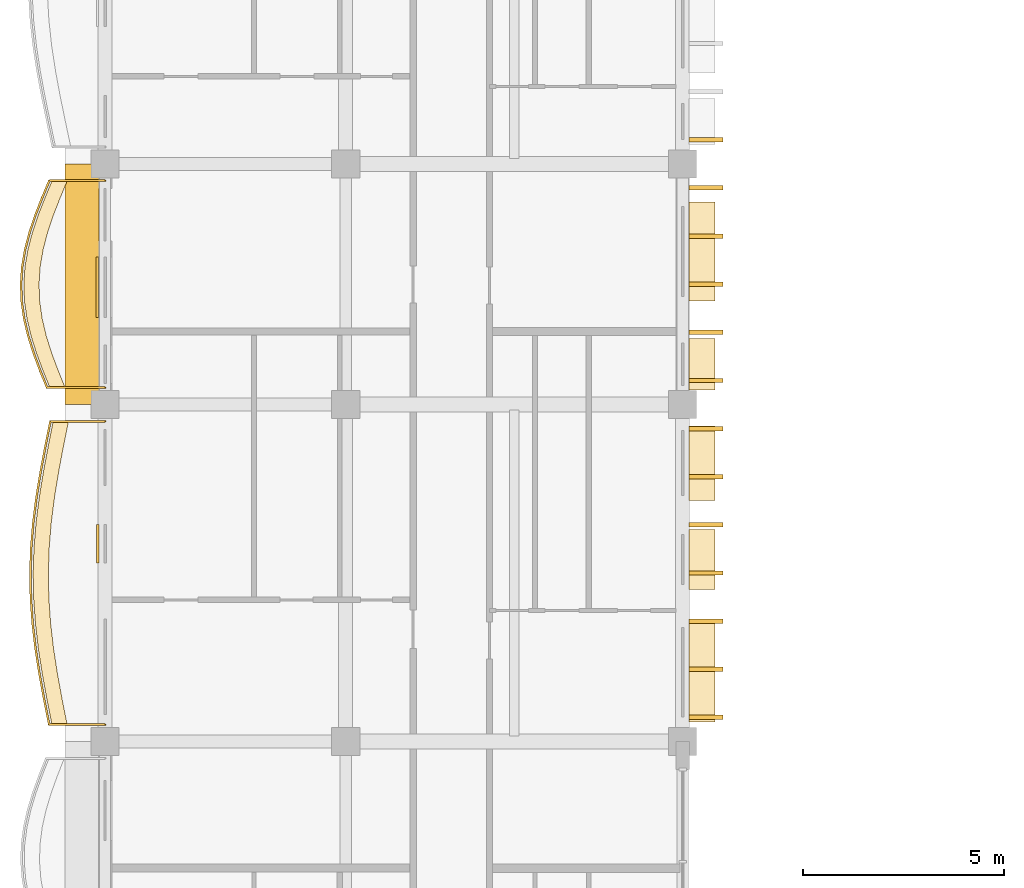
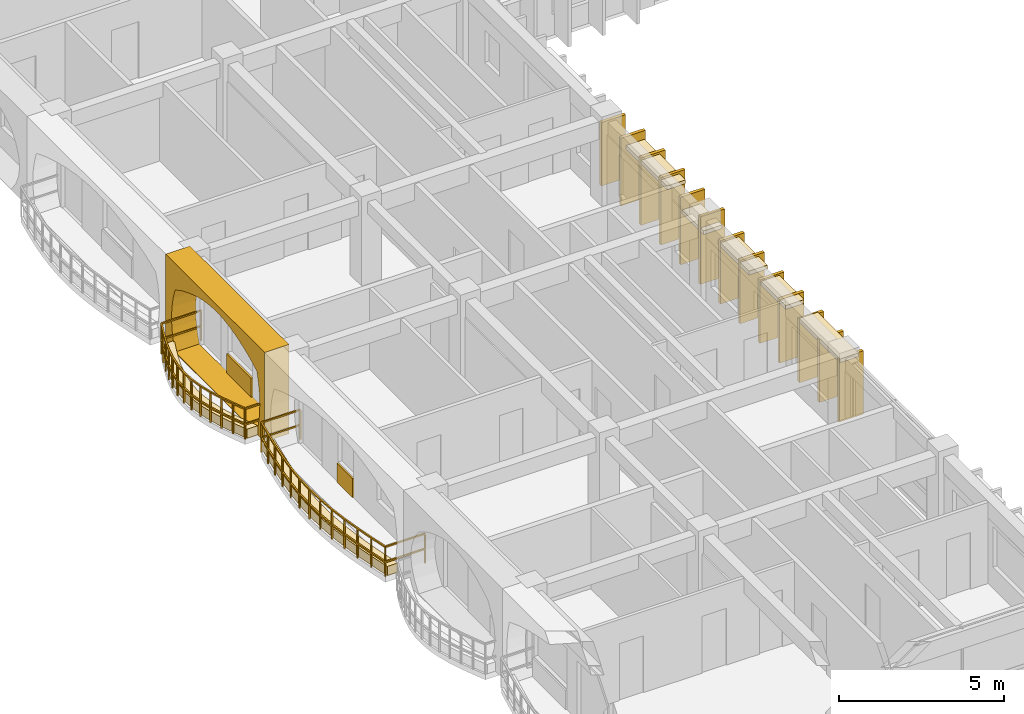
# One storey, part 56 of 76: 23 coverings, 2 railings.
"""IFC4 building model written with IfcOpenShell, lengths in metres."""

from ifc_helpers import new_model, si_unit, direction, frame, origin, origin_2d, place, context, subcontext, project, spatial, polyline, rectangle, outline, extrude, material, layer, layer_set, type_object, element, save


model = new_model("IFC4")

# Units and contexts
model_context = context("Model", 3, precision=1e-05, world=origin(), true_north=direction((0.0, 1.0)))
body_context = subcontext(model_context, "Body", "Model", "MODEL_VIEW")
ifc_project = project(units=[si_unit("LENGTHUNIT", "METRE"), si_unit("AREAUNIT", "SQUARE_METRE"), si_unit("VOLUMEUNIT", "CUBIC_METRE"), si_unit("PLANEANGLEUNIT", "RADIAN"), si_unit("MASSUNIT", "GRAM", prefix="KILO"), si_unit("THERMODYNAMICTEMPERATUREUNIT", "KELVIN")], contexts=[model_context])

# Site, building, storey
site_placement = place(None, origin())
site = spatial("IfcSite", under=ifc_project, at=site_placement, CompositionType="ELEMENT")
building_placement = place(site_placement, origin())
building = spatial("IfcBuilding", under=site, at=building_placement, Name="Thalorik Housing Commons", CompositionType="ELEMENT")
storey_placement = place(building_placement, frame((0.0, 0.0, 18.0)))
storey = spatial("IfcBuildingStorey", under=building, at=storey_placement, Name="L05", CompositionType="ELEMENT", Elevation=18.0)

# Coverings
ifc_material_1 = material(Name="Precast concrete C40/50", Category="concrete")
ifc_layer_1 = layer(ifc_material_1, 0.85009765625, Name="Precast concrete C40/50", Category="concrete")
ifc_layer_set_1 = layer_set([ifc_layer_1], Name="Precast concrete C40/50")
covering_type_1 = type_object("IfcCoveringType", Name="ARC-CLD-CUSH-850", PredefinedType="CLADDING", material=ifc_layer_set_1)
covering_1_placement = place(storey_placement, frame((7.822509765625, 97.800048828125, 0.0), z_axis=(0.0, 0.0, 1.0), x_axis=(0.0, -1.0, 0.0)))
element("IfcCovering", 1, at=covering_1_placement, inside=storey, type_object=covering_type_1, Name="L05 White Precast Curved Cushion Bay Frame 567", PredefinedType="CLADDING", context=body_context, shape_type="SweptSolid", body=[
    extrude(outline(polyline([(-3.0, 0.0), (3.0, 0.0), (3.0, 3.300048828125), (-3.0, 3.300048828125), (-3.0, 0.0)]), holes=[polyline([(2.52001953125, 0.02490234375), (2.621337890625, 0.407470703125), (2.68212890625, 0.7900390625), (2.702392578125, 1.172607421875), (2.68212890625, 1.554931640625), (2.621337890625, 1.9375), (2.52001953125, 2.320068359375), (2.107421875, 2.539306640625), (1.695068359375, 2.711181640625), (1.282470703125, 2.8505859375), (0.8701171875, 2.954345703125), (0.45751953125, 3.018310546875), (0.044921875, 3.0400390625), (-0.367431640625, 3.018310546875), (-0.780029296875, 2.954345703125), (-1.1923828125, 2.8505859375), (-1.60498046875, 2.711181640625), (-2.017578125, 2.539306640625), (-2.429931640625, 2.320068359375), (-2.55029296875, 1.9375), (-2.62255859375, 1.554931640625), (-2.646484375, 1.172607421875), (-2.62255859375, 0.7900390625), (-2.55029296875, 0.407470703125), (-2.429931640625, 0.02490234375), (2.52001953125, 0.02490234375)])]), frame((0.0, 0.425048828125, 0.0), z_axis=(0.0, -1.0, 0.0), x_axis=(1.0, 0.0, 0.0)), (0.0, 0.0, 1.0), 0.85009765625),
])
ifc_layer_2 = layer(ifc_material_1, 0.85009765625, Name="Precast concrete C40/50", Category="concrete")
ifc_layer_set_2 = layer_set([ifc_layer_2], Name="Precast concrete C40/50")
covering_type_2 = type_object("IfcCoveringType", Name="ARC-CLD-FIN-850", PredefinedType="CLADDING", material=ifc_layer_set_2)
for number, where, z_axis, x_axis, name in (
    (2, (23.37744140625, 87.0, 0.0400390625), (0.0, 0.0, 1.0), (0.0, 1.0, 0.0), "L05 Courtyard Precast Vertical Brise-Soleil Fin 592"),
    (3, (23.37744140625, 88.199951171875, 0.0400390625), (0.0, 0.0, 1.0), (0.0, 1.0, 0.0), "L05 Courtyard Precast Vertical Brise-Soleil Fin 593"),
    (4, (23.37744140625, 89.39990234375, 0.0400390625), (0.0, 0.0, 1.0), (0.0, 1.0, 0.0), "L05 Courtyard Precast Vertical Brise-Soleil Fin 594"),
    (5, (23.37744140625, 90.60009765625, 0.0400390625), (0.0, 0.0, 1.0), (0.0, 1.0, 0.0), "L05 Courtyard Precast Vertical Brise-Soleil Fin 595"),
    (6, (23.37744140625, 91.800048828125, 0.0400390625), (0.0, 0.0, 1.0), (0.0, 1.0, 0.0), "L05 Courtyard Precast Vertical Brise-Soleil Fin 596"),
    (7, (23.37744140625, 93.0, 0.0400390625), (0.0, 0.0, 1.0), (0.0, 1.0, 0.0), "L05 Courtyard Precast Vertical Brise-Soleil Fin 597"),
    (8, (23.37744140625, 94.199951171875, 0.0400390625), (0.0, 0.0, 1.0), (0.0, 1.0, 0.0), "L05 Courtyard Precast Vertical Brise-Soleil Fin 598"),
):
    element("IfcCovering", number, at=place(storey_placement, frame(where, z_axis=z_axis, x_axis=x_axis)), inside=storey, type_object=covering_type_2, Name=name, PredefinedType="CLADDING", context=body_context, shape_type="SweptSolid", body=[
        extrude(rectangle(XDim=0.110107421875, YDim=0.85009765625, at=origin_2d()), origin(), (0.0, 0.0, 1.0), 2.344970703125),
    ])
for number, where, z_axis, x_axis, name in (
    (9, (23.37744140625, 95.39990234375, 0.0400390625), (0.0, 0.0, 1.0), (0.0, 1.0, 0.0), "L05 Courtyard Precast Vertical Brise-Soleil Fin 602"),
    (10, (23.37744140625, 96.60009765625, 0.0400390625), (0.0, 0.0, 1.0), (0.0, 1.0, 0.0), "L05 Courtyard Precast Vertical Brise-Soleil Fin 603"),
    (11, (23.37744140625, 97.800048828125, 0.0400390625), (0.0, 0.0, 1.0), (0.0, 1.0, 0.0), "L05 Courtyard Precast Vertical Brise-Soleil Fin 604"),
    (12, (23.37744140625, 99.0, 0.0400390625), (0.0, 0.0, 1.0), (0.0, 1.0, 0.0), "L05 Courtyard Precast Vertical Brise-Soleil Fin 605"),
    (13, (23.37744140625, 100.199951171875, 0.0400390625), (0.0, 0.0, 1.0), (0.0, 1.0, 0.0), "L05 Courtyard Precast Vertical Brise-Soleil Fin 606"),
):
    element("IfcCovering", number, at=place(storey_placement, frame(where, z_axis=z_axis, x_axis=x_axis)), inside=storey, type_object=covering_type_2, Name=name, PredefinedType="CLADDING", context=body_context, shape_type="SweptSolid", body=[
        extrude(rectangle(XDim=0.110107421875, YDim=0.85009765625, at=origin_2d()), origin(), (0.0, 0.0, 1.0), 2.4951171875),
    ])
covering_2_placement = place(storey_placement, frame((23.37744140625, 101.39990234375, 0.0400390625), z_axis=(0.0, 0.0, 1.0), x_axis=(0.0, 1.0, 0.0)))
element("IfcCovering", 14, at=covering_2_placement, inside=storey, type_object=covering_type_2, Name="L05 Courtyard Precast Vertical Brise-Soleil Fin 609", PredefinedType="CLADDING", context=body_context, shape_type="SweptSolid", body=[
    extrude(rectangle(XDim=0.110107421875, YDim=0.85009765625, at=origin_2d()), origin(), (0.0, 0.0, 1.0), 2.344970703125),
])
ifc_layer_3 = layer(ifc_material_1, 0.64990234375, Name="Precast concrete C40/50", Category="concrete")
ifc_layer_set_3 = layer_set([ifc_layer_3], Name="Precast concrete C40/50")
covering_type_3 = type_object("IfcCoveringType", Name="ARC-CLD-HOOD-650", PredefinedType="CLADDING", material=ifc_layer_set_3)
covering_3_placement = place(storey_placement, frame((23.277587890625, 88.126220703125, 2.27490234375), z_axis=(0.0, 0.0, 1.0), x_axis=(0.0, 1.0, 0.0)))
element("IfcCovering", 15, at=covering_3_placement, inside=storey, type_object=covering_type_3, Name="L05 Courtyard Precast Window Sun-Hood 599", PredefinedType="CLADDING", context=body_context, shape_type="SweptSolid", body=[
    extrude(rectangle(XDim=2.47998046875, YDim=0.64990234375, at=origin_2d()), origin(), (0.0, 0.0, 1.0), 0.139892578125),
])
covering_4_placement = place(storey_placement, frame((23.277587890625, 90.934326171875, 2.240234375), z_axis=(0.0, 0.0, 1.0), x_axis=(0.0, 1.0, 0.0)))
element("IfcCovering", 16, at=covering_4_placement, inside=storey, type_object=covering_type_3, Name="L05 Courtyard Precast Window Sun-Hood 600", PredefinedType="CLADDING", context=body_context, shape_type="SweptSolid", body=[
    extrude(rectangle(XDim=1.489990234375, YDim=0.64990234375, at=origin_2d()), origin(), (0.0, 0.0, 1.0), 0.139892578125),
])
covering_5_placement = place(storey_placement, frame((23.277587890625, 93.338134765625, 2.169921875), z_axis=(0.0, 0.0, 1.0), x_axis=(0.0, 1.0, 0.0)))
element("IfcCovering", 17, at=covering_5_placement, inside=storey, type_object=covering_type_3, Name="L05 Courtyard Precast Window Sun-Hood 601", PredefinedType="CLADDING", context=body_context, shape_type="SweptSolid", body=[
    extrude(rectangle(XDim=1.860107421875, YDim=0.64990234375, at=origin_2d()), origin(), (0.0, 0.0, 1.0), 0.139892578125),
])
covering_6_placement = place(storey_placement, frame((23.277587890625, 95.804931640625, 1.990234375), z_axis=(0.0, 0.0, 1.0), x_axis=(0.0, 1.0, 0.0)))
element("IfcCovering", 18, at=covering_6_placement, inside=storey, type_object=covering_type_3, Name="L05 Courtyard Precast Window Sun-Hood 607", PredefinedType="CLADDING", context=body_context, shape_type="SweptSolid", body=[
    extrude(rectangle(XDim=1.2900390625, YDim=0.64990234375, at=origin_2d()), origin(), (0.0, 0.0, 1.0), 0.139892578125),
])
covering_7_placement = place(storey_placement, frame((23.277587890625, 98.614990234375, 2.31005859375), z_axis=(0.0, 0.0, 1.0), x_axis=(0.0, 1.0, 0.0)))
element("IfcCovering", 19, at=covering_7_placement, inside=storey, type_object=covering_type_3, Name="L05 Courtyard Precast Window Sun-Hood 608", PredefinedType="CLADDING", context=body_context, shape_type="SweptSolid", body=[
    extrude(rectangle(XDim=2.47998046875, YDim=0.64990234375, at=origin_2d()), origin(), (0.0, 0.0, 1.0), 0.139892578125),
])
ifc_material_2 = material(Name="Terracotta red mineral fibre-cement panel", Category="masonry")
ifc_layer_4 = layer(ifc_material_2, 0.054931640625, Name="Terracotta red mineral fibre-cement panel", Category="masonry")
ifc_layer_set_4 = layer_set([ifc_layer_4], Name="Terracotta red mineral fibre-cement panel")
covering_type_4 = type_object("IfcCoveringType", Name="ARC-CLD-RED-55", PredefinedType="CLADDING", material=ifc_layer_set_4)
covering_8_placement = place(storey_placement, frame((8.215087890625, 91.330078125, 0.0498046875), z_axis=(0.0, 0.0, 1.0), x_axis=(0.0, -1.0, 0.0)))
element("IfcCovering", 20, at=covering_8_placement, inside=storey, type_object=covering_type_4, Name="L05 De Stijl Recessed Window Spandrel 570", PredefinedType="CLADDING", context=body_context, shape_type="SweptSolid", body=[
    extrude(rectangle(XDim=0.949951171875, YDim=0.054931640625, at=origin_2d()), origin(), (0.0, 0.0, 1.0), 0.699951171875),
])
ifc_material_3 = material(Name="Mineral ochre architectural terracotta panel", Category="masonry")
ifc_layer_5 = layer(ifc_material_3, 0.06494140625, Name="Mineral ochre architectural terracotta panel", Category="masonry")
ifc_layer_set_5 = layer_set([ifc_layer_5], Name="Mineral ochre architectural terracotta panel")
covering_type_5 = type_object("IfcCoveringType", Name="ARC-CLD-YEL-65", PredefinedType="CLADDING", material=ifc_layer_set_5)
covering_9_placement = place(storey_placement, frame((8.2099609375, 97.72509765625, 0.0498046875), z_axis=(0.0, 0.0, 1.0), x_axis=(0.0, -1.0, 0.0)))
element("IfcCovering", 21, at=covering_9_placement, inside=storey, type_object=covering_type_5, Name="L05 De Stijl Recessed Window Spandrel 568", PredefinedType="CLADDING", context=body_context, shape_type="SweptSolid", body=[
    extrude(rectangle(XDim=1.5, YDim=0.06494140625, at=origin_2d()), origin(), (0.0, 0.0, 1.0), 0.699951171875),
])
ifc_material_4 = material(Name="Planted vegetated substrate and terracotta trough", Category="masonry")
ifc_layer_6 = layer(ifc_material_4, 0.340087890625, Name="Planted vegetated substrate and terracotta trough", Category="masonry")
ifc_layer_set_6 = layer_set([ifc_layer_6], Name="Planted vegetated substrate and terracotta trough")
covering_type_6 = type_object("IfcCoveringType", Name="ARC-COV-PLANTER", PredefinedType="USERDEFINED", material=ifc_layer_set_6)
covering_10_placement = place(storey_placement, origin())
element("IfcCovering", 22, at=covering_10_placement, inside=storey, type_object=covering_type_6, Name="L05 Balcony Slab-Edge Planted Trough 5354", ObjectType="PLANTER", PredefinedType="USERDEFINED", context=body_context, shape_type="SweptSolid", body=[
    extrude(outline(polyline([(7.107177734375, 94.3798828125), (6.98095703125, 93.75), (6.8623046875, 93.1201171875), (6.759765625, 92.489990234375), (6.6796875, 91.860107421875), (6.627685546875, 91.22998046875), (6.60693359375, 90.60009765625), (6.619140625, 89.969970703125), (6.66357421875, 89.340087890625), (6.73681640625, 88.7099609375), (6.834716796875, 88.080078125), (6.950439453125, 87.449951171875), (7.076416015625, 86.820068359375), (7.456298828125, 86.820068359375), (7.330322265625, 87.449951171875), (7.214599609375, 88.080078125), (7.116943359375, 88.7099609375), (7.04345703125, 89.340087890625), (6.999267578125, 89.969970703125), (6.987060546875, 90.60009765625), (7.007568359375, 91.22998046875), (7.059814453125, 91.860107421875), (7.1396484375, 92.489990234375), (7.242431640625, 93.1201171875), (7.36083984375, 93.75), (7.4873046875, 94.3798828125), (7.107177734375, 94.3798828125)])), origin(), (0.0, 0.0, 1.0), 0.340087890625),
])
covering_11_placement = place(storey_placement, origin())
element("IfcCovering", 23, at=covering_11_placement, inside=storey, type_object=covering_type_6, Name="L05 Balcony Slab-Edge Planted Trough 5355", ObjectType="PLANTER", PredefinedType="USERDEFINED", context=body_context, shape_type="SweptSolid", body=[
    extrude(outline(polyline([(7.079345703125, 100.3798828125), (6.8994140625, 99.949951171875), (6.73193359375, 99.52001953125), (6.58740234375, 99.090087890625), (6.475341796875, 98.659912109375), (6.402587890625, 98.22998046875), (6.3740234375, 97.800048828125), (6.39111328125, 97.3701171875), (6.452880859375, 96.93994140625), (6.5546875, 96.510009765625), (6.68994140625, 96.080078125), (6.849853515625, 95.64990234375), (7.023681640625, 95.219970703125), (7.40380859375, 95.219970703125), (7.229736328125, 95.64990234375), (7.06982421875, 96.080078125), (6.9345703125, 96.510009765625), (6.832763671875, 96.93994140625), (6.771240234375, 97.3701171875), (6.754150390625, 97.800048828125), (6.78271484375, 98.22998046875), (6.855224609375, 98.659912109375), (6.967529296875, 99.090087890625), (7.11181640625, 99.52001953125), (7.279541015625, 99.949951171875), (7.459228515625, 100.3798828125), (7.079345703125, 100.3798828125)])), origin(), (0.0, 0.0, 1.0), 0.340087890625),
])

# Railings
ifc_material_5 = material(Name="Steel S355", Category="steel")
railing_type_1 = type_object("IfcRailingType", Name="ARC-RL-BAL-112", PredefinedType="BALUSTRADE", material=ifc_material_5)
railing_1_placement = place(storey_placement, frame((8.39990234375, 94.3798828125, 0.0)))
element("IfcRailing", 24, at=railing_1_placement, inside=storey, type_object=railing_type_1, Name="L05 Cushion Balcony Guardrail 38", PredefinedType="BALUSTRADE", context=body_context, shape_type="SweptSolid", body=[
    extrude(rectangle(XDim=0.050048828125, YDim=0.050048828125, at=origin_2d()), frame((0.0, 0.0, 1.09521484375), z_axis=(-1.0, 0.0, 0.0), x_axis=(0.0, -1.0, 0.0)), (0.0, 0.0, 1.0), 1.36279296875),
    extrude(rectangle(XDim=0.050048828125, YDim=0.050048828125, at=origin_2d()), frame((0.0, 0.0, 0.53515625), z_axis=(-1.0, 0.0, 0.0), x_axis=(0.0, -1.0, 0.0)), (0.0, 0.0, 1.0), 1.36279296875),
    extrude(rectangle(XDim=0.050048828125, YDim=0.050048828125, at=origin_2d()), frame((-1.36279296875, 0.0, 1.09521484375), z_axis=(-0.196481546208, -0.980507522663, 0.0), x_axis=(0.980507522663, -0.196481546208, 0.0)), (0.0, 0.0, 1.0), 0.642333984375),
    extrude(rectangle(XDim=0.050048828125, YDim=0.050048828125, at=origin_2d()), frame((-1.36279296875, 0.0, 0.53515625), z_axis=(-0.196481546208, -0.980507522663, 0.0), x_axis=(0.980507522663, -0.196481546208, 0.0)), (0.0, 0.0, 1.0), 0.642333984375),
    extrude(rectangle(XDim=0.050048828125, YDim=0.050048828125, at=origin_2d()), frame((-1.489013671875, -0.6298828125, 1.09521484375), z_axis=(-0.184748499461, -0.982785832187, 0.0), x_axis=(0.982785832187, -0.184748499461, 0.0)), (0.0, 0.0, 1.0), 0.640869140625),
    extrude(rectangle(XDim=0.050048828125, YDim=0.050048828125, at=origin_2d()), frame((-1.489013671875, -0.6298828125, 0.53515625), z_axis=(-0.184748499461, -0.982785832187, 0.0), x_axis=(0.982785832187, -0.184748499461, 0.0)), (0.0, 0.0, 1.0), 0.640869140625),
    extrude(rectangle(XDim=0.050048828125, YDim=0.050048828125, at=origin_2d()), frame((-1.607421875, -1.259765625, 1.09521484375), z_axis=(-0.160987472055, -0.98695644982, 0.0), x_axis=(0.98695644982, -0.160987472055, 0.0)), (0.0, 0.0, 1.0), 0.638427734375),
    extrude(rectangle(XDim=0.050048828125, YDim=0.050048828125, at=origin_2d()), frame((-1.607421875, -1.259765625, 0.53515625), z_axis=(-0.160987472055, -0.98695644982, 0.0), x_axis=(0.98695644982, -0.160987472055, 0.0)), (0.0, 0.0, 1.0), 0.638427734375),
    extrude(rectangle(XDim=0.050048828125, YDim=0.050048828125, at=origin_2d()), frame((-1.710205078125, -1.889892578125, 1.09521484375), z_axis=(-0.126116688249, -0.992015413663, 0.0), x_axis=(0.992015413663, -0.126116688249, 0.0)), (0.0, 0.0, 1.0), 0.635009765625),
    extrude(rectangle(XDim=0.050048828125, YDim=0.050048828125, at=origin_2d()), frame((-1.710205078125, -1.889892578125, 0.53515625), z_axis=(-0.126116688249, -0.992015413663, 0.0), x_axis=(0.992015413663, -0.126116688249, 0.0)), (0.0, 0.0, 1.0), 0.635009765625),
    extrude(rectangle(XDim=0.050048828125, YDim=0.050048828125, at=origin_2d()), frame((-1.790283203125, -2.519775390625, 1.09521484375), z_axis=(-0.08224655511, -0.996612012858, 0.0), x_axis=(0.996612012858, -0.08224655511, 0.0)), (0.0, 0.0, 1.0), 0.63232421875),
    extrude(rectangle(XDim=0.050048828125, YDim=0.050048828125, at=origin_2d()), frame((-1.790283203125, -2.519775390625, 0.53515625), z_axis=(-0.08224655511, -0.996612012858, 0.0), x_axis=(0.996612012858, -0.08224655511, 0.0)), (0.0, 0.0, 1.0), 0.63232421875),
    extrude(rectangle(XDim=0.050048828125, YDim=0.050048828125, at=origin_2d()), frame((-1.84228515625, -3.14990234375, 1.09521484375), z_axis=(-0.0325408969, -0.999470404779, 0.0), x_axis=(0.999470404779, -0.0325408969, 0.0)), (0.0, 0.0, 1.0), 0.630126953125),
    extrude(rectangle(XDim=0.050048828125, YDim=0.050048828125, at=origin_2d()), frame((-1.84228515625, -3.14990234375, 0.53515625), z_axis=(-0.0325408969, -0.999470404779, 0.0), x_axis=(0.999470404779, -0.0325408969, 0.0)), (0.0, 0.0, 1.0), 0.630126953125),
    extrude(rectangle(XDim=0.050048828125, YDim=0.050048828125, at=origin_2d()), frame((-1.86279296875, -3.77978515625, 1.09521484375), z_axis=(0.01936870223, -0.999812409092, 0.0), x_axis=(0.999812409092, 0.01936870223, 0.0)), (0.0, 0.0, 1.0), 0.630126953125),
    extrude(rectangle(XDim=0.050048828125, YDim=0.050048828125, at=origin_2d()), frame((-1.86279296875, -3.77978515625, 0.53515625), z_axis=(0.01936870223, -0.999812409092, 0.0), x_axis=(0.999812409092, 0.01936870223, 0.0)), (0.0, 0.0, 1.0), 0.630126953125),
    extrude(rectangle(XDim=0.050048828125, YDim=0.050048828125, at=origin_2d()), frame((-1.8505859375, -4.409912109375, 1.09521484375), z_axis=(0.06998303137, -0.997548181954, 0.0), x_axis=(0.997548181954, 0.06998303137, 0.0)), (0.0, 0.0, 1.0), 0.63134765625),
    extrude(rectangle(XDim=0.050048828125, YDim=0.050048828125, at=origin_2d()), frame((-1.8505859375, -4.409912109375, 0.53515625), z_axis=(0.06998303137, -0.997548181954, 0.0), x_axis=(0.997548181954, 0.06998303137, 0.0)), (0.0, 0.0, 1.0), 0.63134765625),
    extrude(rectangle(XDim=0.050048828125, YDim=0.050048828125, at=origin_2d()), frame((-1.806396484375, -5.039794921875, 1.09521484375), z_axis=(0.115836404517, -0.993268305841, 0.0), x_axis=(0.993268305841, 0.115836404517, 0.0)), (0.0, 0.0, 1.0), 0.63427734375),
    extrude(rectangle(XDim=0.050048828125, YDim=0.050048828125, at=origin_2d()), frame((-1.806396484375, -5.039794921875, 0.53515625), z_axis=(0.115836404517, -0.993268305841, 0.0), x_axis=(0.993268305841, 0.115836404517, 0.0)), (0.0, 0.0, 1.0), 0.63427734375),
    extrude(rectangle(XDim=0.050048828125, YDim=0.050048828125, at=origin_2d()), frame((-1.73291015625, -5.669921875, 1.09521484375), z_axis=(0.153208357775, -0.988193907646, 0.0), x_axis=(0.988193907646, 0.153208357775, 0.0)), (0.0, 0.0, 1.0), 0.637451171875),
    extrude(rectangle(XDim=0.050048828125, YDim=0.050048828125, at=origin_2d()), frame((-1.73291015625, -5.669921875, 0.53515625), z_axis=(0.153208357775, -0.988193907646, 0.0), x_axis=(0.988193907646, 0.153208357775, 0.0)), (0.0, 0.0, 1.0), 0.637451171875),
    extrude(rectangle(XDim=0.050048828125, YDim=0.050048828125, at=origin_2d()), frame((-1.63525390625, -6.2998046875, 1.09521484375), z_axis=(0.180628950644, -0.983551311417, 0.0), x_axis=(0.983551311417, 0.180628950644, 0.0)), (0.0, 0.0, 1.0), 0.640625),
    extrude(rectangle(XDim=0.050048828125, YDim=0.050048828125, at=origin_2d()), frame((-1.63525390625, -6.2998046875, 0.53515625), z_axis=(0.180628950644, -0.983551311417, 0.0), x_axis=(0.983551311417, 0.180628950644, 0.0)), (0.0, 0.0, 1.0), 0.640625),
    extrude(rectangle(XDim=0.050048828125, YDim=0.050048828125, at=origin_2d()), frame((-1.51953125, -6.929931640625, 1.09521484375), z_axis=(0.196116135138, -0.980580675691, 0.0), x_axis=(0.980580675691, 0.196116135138, 0.0)), (0.0, 0.0, 1.0), 0.642333984375),
    extrude(rectangle(XDim=0.050048828125, YDim=0.050048828125, at=origin_2d()), frame((-1.51953125, -6.929931640625, 0.53515625), z_axis=(0.196116135138, -0.980580675691, 0.0), x_axis=(0.980580675691, 0.196116135138, 0.0)), (0.0, 0.0, 1.0), 0.642333984375),
    extrude(rectangle(XDim=0.050048828125, YDim=0.050048828125, at=origin_2d()), frame((-1.3935546875, -7.559814453125, 1.09521484375), z_axis=(1.0, 0.0, 0.0), x_axis=(0.0, 1.0, 0.0)), (0.0, 0.0, 1.0), 1.3935546875),
    extrude(rectangle(XDim=0.050048828125, YDim=0.050048828125, at=origin_2d()), frame((-1.3935546875, -7.559814453125, 0.53515625), z_axis=(1.0, 0.0, 0.0), x_axis=(0.0, 1.0, 0.0)), (0.0, 0.0, 1.0), 1.3935546875),
    extrude(rectangle(XDim=0.0419921875, YDim=0.0419921875, at=origin_2d()), origin(), (0.0, 0.0, 1.0), 1.070068359375),
    extrude(rectangle(XDim=0.0419921875, YDim=0.0419921875, at=origin_2d()), frame((-1.36279296875, 0.0, 0.0)), (0.0, 0.0, 1.0), 1.070068359375),
    extrude(rectangle(XDim=0.0419921875, YDim=0.0419921875, at=origin_2d()), frame((-1.489013671875, -0.6298828125, 0.0)), (0.0, 0.0, 1.0), 1.070068359375),
    extrude(rectangle(XDim=0.0419921875, YDim=0.0419921875, at=origin_2d()), frame((-1.607421875, -1.259765625, 0.0)), (0.0, 0.0, 1.0), 1.070068359375),
    extrude(rectangle(XDim=0.0419921875, YDim=0.0419921875, at=origin_2d()), frame((-1.710205078125, -1.889892578125, 0.0)), (0.0, 0.0, 1.0), 1.070068359375),
    extrude(rectangle(XDim=0.0419921875, YDim=0.0419921875, at=origin_2d()), frame((-1.790283203125, -2.519775390625, 0.0)), (0.0, 0.0, 1.0), 1.070068359375),
    extrude(rectangle(XDim=0.0419921875, YDim=0.0419921875, at=origin_2d()), frame((-1.84228515625, -3.14990234375, 0.0)), (0.0, 0.0, 1.0), 1.070068359375),
    extrude(rectangle(XDim=0.0419921875, YDim=0.0419921875, at=origin_2d()), frame((-1.86279296875, -3.77978515625, 0.0)), (0.0, 0.0, 1.0), 1.070068359375),
    extrude(rectangle(XDim=0.0419921875, YDim=0.0419921875, at=origin_2d()), frame((-1.8505859375, -4.409912109375, 0.0)), (0.0, 0.0, 1.0), 1.070068359375),
    extrude(rectangle(XDim=0.0419921875, YDim=0.0419921875, at=origin_2d()), frame((-1.806396484375, -5.039794921875, 0.0)), (0.0, 0.0, 1.0), 1.070068359375),
    extrude(rectangle(XDim=0.0419921875, YDim=0.0419921875, at=origin_2d()), frame((-1.73291015625, -5.669921875, 0.0)), (0.0, 0.0, 1.0), 1.070068359375),
    extrude(rectangle(XDim=0.0419921875, YDim=0.0419921875, at=origin_2d()), frame((-1.63525390625, -6.2998046875, 0.0)), (0.0, 0.0, 1.0), 1.070068359375),
    extrude(rectangle(XDim=0.0419921875, YDim=0.0419921875, at=origin_2d()), frame((-1.51953125, -6.929931640625, 0.0)), (0.0, 0.0, 1.0), 1.070068359375),
    extrude(rectangle(XDim=0.0419921875, YDim=0.0419921875, at=origin_2d()), frame((-1.3935546875, -7.559814453125, 0.0)), (0.0, 0.0, 1.0), 1.070068359375),
    extrude(rectangle(XDim=0.0419921875, YDim=0.0419921875, at=origin_2d()), frame((0.0, -7.559814453125, 0.0)), (0.0, 0.0, 1.0), 1.070068359375),
])
railing_type_2 = type_object("IfcRailingType", Name="ARC-RL-BAL-115", PredefinedType="BALUSTRADE", material=ifc_material_5)
railing_2_placement = place(storey_placement, frame((8.39990234375, 100.3798828125, 0.0)))
element("IfcRailing", 25, at=railing_2_placement, inside=storey, type_object=railing_type_2, Name="L05 Cushion Balcony Guardrail 39", PredefinedType="BALUSTRADE", context=body_context, shape_type="SweptSolid", body=[
    extrude(rectangle(XDim=0.050048828125, YDim=0.050048828125, at=origin_2d()), frame((0.0, 0.0, 1.125), z_axis=(-1.0, 0.0, 0.0), x_axis=(0.0, -1.0, 0.0)), (0.0, 0.0, 1.0), 1.390625),
    extrude(rectangle(XDim=0.050048828125, YDim=0.050048828125, at=origin_2d()), frame((0.0, 0.0, 0.5498046875), z_axis=(-1.0, 0.0, 0.0), x_axis=(0.0, -1.0, 0.0)), (0.0, 0.0, 1.0), 1.390625),
    extrude(rectangle(XDim=0.050048828125, YDim=0.050048828125, at=origin_2d()), frame((-1.390625, 0.0, 1.125), z_axis=(-0.385619633043, -0.922657844822, 0.0), x_axis=(0.922657844822, -0.385619633043, 0.0)), (0.0, 0.0, 1.0), 0.466064453125),
    extrude(rectangle(XDim=0.050048828125, YDim=0.050048828125, at=origin_2d()), frame((-1.390625, 0.0, 0.5498046875), z_axis=(-0.385619633043, -0.922657844822, 0.0), x_axis=(0.922657844822, -0.385619633043, 0.0)), (0.0, 0.0, 1.0), 0.466064453125),
    extrude(rectangle(XDim=0.050048828125, YDim=0.050048828125, at=origin_2d()), frame((-1.5703125, -0.429931640625, 1.125), z_axis=(-0.363441703429, -0.931616942852, 0.0), x_axis=(0.931616942852, -0.363441703429, 0.0)), (0.0, 0.0, 1.0), 0.46142578125),
    extrude(rectangle(XDim=0.050048828125, YDim=0.050048828125, at=origin_2d()), frame((-1.5703125, -0.429931640625, 0.5498046875), z_axis=(-0.363441703429, -0.931616942852, 0.0), x_axis=(0.931616942852, -0.363441703429, 0.0)), (0.0, 0.0, 1.0), 0.46142578125),
    extrude(rectangle(XDim=0.050048828125, YDim=0.050048828125, at=origin_2d()), frame((-1.738037109375, -0.85986328125, 1.125), z_axis=(-0.318165168077, -0.948035297772, 0.0), x_axis=(0.948035297772, -0.318165168077, 0.0)), (0.0, 0.0, 1.0), 0.45361328125),
    extrude(rectangle(XDim=0.050048828125, YDim=0.050048828125, at=origin_2d()), frame((-1.738037109375, -0.85986328125, 0.5498046875), z_axis=(-0.318165168077, -0.948035297772, 0.0), x_axis=(0.948035297772, -0.318165168077, 0.0)), (0.0, 0.0, 1.0), 0.45361328125),
    extrude(rectangle(XDim=0.050048828125, YDim=0.050048828125, at=origin_2d()), frame((-1.88232421875, -1.289794921875, 1.125), z_axis=(-0.252600725208, -0.967570603948, 0.0), x_axis=(0.967570603948, -0.252600725208, 0.0)), (0.0, 0.0, 1.0), 0.444580078125),
    extrude(rectangle(XDim=0.050048828125, YDim=0.050048828125, at=origin_2d()), frame((-1.88232421875, -1.289794921875, 0.5498046875), z_axis=(-0.252600725208, -0.967570603948, 0.0), x_axis=(0.967570603948, -0.252600725208, 0.0)), (0.0, 0.0, 1.0), 0.444580078125),
    extrude(rectangle(XDim=0.050048828125, YDim=0.050048828125, at=origin_2d()), frame((-1.99462890625, -1.719970703125, 1.125), z_axis=(-0.16630554136, -0.986074270485, 0.0), x_axis=(0.986074270485, -0.16630554136, 0.0)), (0.0, 0.0, 1.0), 0.43603515625),
    extrude(rectangle(XDim=0.050048828125, YDim=0.050048828125, at=origin_2d()), frame((-1.99462890625, -1.719970703125, 0.5498046875), z_axis=(-0.16630554136, -0.986074270485, 0.0), x_axis=(0.986074270485, -0.16630554136, 0.0)), (0.0, 0.0, 1.0), 0.43603515625),
    extrude(rectangle(XDim=0.050048828125, YDim=0.050048828125, at=origin_2d()), frame((-2.067138671875, -2.14990234375, 1.125), z_axis=(-0.06629336768, -0.997800175086, 0.0), x_axis=(0.997800175086, -0.06629336768, 0.0)), (0.0, 0.0, 1.0), 0.430908203125),
    extrude(rectangle(XDim=0.050048828125, YDim=0.050048828125, at=origin_2d()), frame((-2.067138671875, -2.14990234375, 0.5498046875), z_axis=(-0.06629336768, -0.997800175086, 0.0), x_axis=(0.997800175086, -0.06629336768, 0.0)), (0.0, 0.0, 1.0), 0.430908203125),
    extrude(rectangle(XDim=0.050048828125, YDim=0.050048828125, at=origin_2d()), frame((-2.095703125, -2.579833984375, 1.125), z_axis=(0.039718775053, -0.999210898113, 0.0), x_axis=(0.999210898113, 0.039718775053, 0.0)), (0.0, 0.0, 1.0), 0.43017578125),
    extrude(rectangle(XDim=0.050048828125, YDim=0.050048828125, at=origin_2d()), frame((-2.095703125, -2.579833984375, 0.5498046875), z_axis=(0.039718775053, -0.999210898113, 0.0), x_axis=(0.999210898113, 0.039718775053, 0.0)), (0.0, 0.0, 1.0), 0.43017578125),
    extrude(rectangle(XDim=0.050048828125, YDim=0.050048828125, at=origin_2d()), frame((-2.07861328125, -3.009765625, 1.125), z_axis=(0.141578664079, -0.989927008359, 0.0), x_axis=(0.989927008359, 0.141578664079, 0.0)), (0.0, 0.0, 1.0), 0.4345703125),
    extrude(rectangle(XDim=0.050048828125, YDim=0.050048828125, at=origin_2d()), frame((-2.07861328125, -3.009765625, 0.5498046875), z_axis=(0.141578664079, -0.989927008359, 0.0), x_axis=(0.989927008359, 0.141578664079, 0.0)), (0.0, 0.0, 1.0), 0.4345703125),
    extrude(rectangle(XDim=0.050048828125, YDim=0.050048828125, at=origin_2d()), frame((-2.01708984375, -3.43994140625, 1.125), z_axis=(0.230425076192, -0.973090069964, 0.0), x_axis=(0.973090069964, 0.230425076192, 0.0)), (0.0, 0.0, 1.0), 0.44189453125),
    extrude(rectangle(XDim=0.050048828125, YDim=0.050048828125, at=origin_2d()), frame((-2.01708984375, -3.43994140625, 0.5498046875), z_axis=(0.230425076192, -0.973090069964, 0.0), x_axis=(0.973090069964, 0.230425076192, 0.0)), (0.0, 0.0, 1.0), 0.44189453125),
    extrude(rectangle(XDim=0.050048828125, YDim=0.050048828125, at=origin_2d()), frame((-1.915283203125, -3.869873046875, 1.125), z_axis=(0.300094208559, -0.953909569084, 0.0), x_axis=(0.953909569084, 0.300094208559, 0.0)), (0.0, 0.0, 1.0), 0.45068359375),
    extrude(rectangle(XDim=0.050048828125, YDim=0.050048828125, at=origin_2d()), frame((-1.915283203125, -3.869873046875, 0.5498046875), z_axis=(0.300094208559, -0.953909569084, 0.0), x_axis=(0.953909569084, 0.300094208559, 0.0)), (0.0, 0.0, 1.0), 0.45068359375),
    extrude(rectangle(XDim=0.050048828125, YDim=0.050048828125, at=origin_2d()), frame((-1.780029296875, -4.2998046875, 1.125), z_axis=(0.348440290152, -0.937330979003, 0.0), x_axis=(0.937330979003, 0.348440290152, 0.0)), (0.0, 0.0, 1.0), 0.458984375),
    extrude(rectangle(XDim=0.050048828125, YDim=0.050048828125, at=origin_2d()), frame((-1.780029296875, -4.2998046875, 0.5498046875), z_axis=(0.348440290152, -0.937330979003, 0.0), x_axis=(0.937330979003, 0.348440290152, 0.0)), (0.0, 0.0, 1.0), 0.458984375),
    extrude(rectangle(XDim=0.050048828125, YDim=0.050048828125, at=origin_2d()), frame((-1.6201171875, -4.72998046875, 1.125), z_axis=(0.374837314047, -0.927090603985, 0.0), x_axis=(0.927090603985, 0.374837314047, 0.0)), (0.0, 0.0, 1.0), 0.463623046875),
    extrude(rectangle(XDim=0.050048828125, YDim=0.050048828125, at=origin_2d()), frame((-1.6201171875, -4.72998046875, 0.5498046875), z_axis=(0.374837314047, -0.927090603985, 0.0), x_axis=(0.927090603985, 0.374837314047, 0.0)), (0.0, 0.0, 1.0), 0.463623046875),
    extrude(rectangle(XDim=0.050048828125, YDim=0.050048828125, at=origin_2d()), frame((-1.4462890625, -5.159912109375, 1.125), z_axis=(1.0, 0.0, 0.0), x_axis=(0.0, 1.0, 0.0)), (0.0, 0.0, 1.0), 1.4462890625),
    extrude(rectangle(XDim=0.050048828125, YDim=0.050048828125, at=origin_2d()), frame((-1.4462890625, -5.159912109375, 0.5498046875), z_axis=(1.0, 0.0, 0.0), x_axis=(0.0, 1.0, 0.0)), (0.0, 0.0, 1.0), 1.4462890625),
    extrude(rectangle(XDim=0.0419921875, YDim=0.0419921875, at=origin_2d()), origin(), (0.0, 0.0, 1.0), 1.099853515625),
    extrude(rectangle(XDim=0.0419921875, YDim=0.0419921875, at=origin_2d()), frame((-1.390625, 0.0, 0.0)), (0.0, 0.0, 1.0), 1.099853515625),
    extrude(rectangle(XDim=0.0419921875, YDim=0.0419921875, at=origin_2d()), frame((-1.5703125, -0.429931640625, 0.0)), (0.0, 0.0, 1.0), 1.099853515625),
    extrude(rectangle(XDim=0.0419921875, YDim=0.0419921875, at=origin_2d()), frame((-1.738037109375, -0.85986328125, 0.0)), (0.0, 0.0, 1.0), 1.099853515625),
    extrude(rectangle(XDim=0.0419921875, YDim=0.0419921875, at=origin_2d()), frame((-1.88232421875, -1.289794921875, 0.0)), (0.0, 0.0, 1.0), 1.099853515625),
    extrude(rectangle(XDim=0.0419921875, YDim=0.0419921875, at=origin_2d()), frame((-1.99462890625, -1.719970703125, 0.0)), (0.0, 0.0, 1.0), 1.099853515625),
    extrude(rectangle(XDim=0.0419921875, YDim=0.0419921875, at=origin_2d()), frame((-2.067138671875, -2.14990234375, 0.0)), (0.0, 0.0, 1.0), 1.099853515625),
    extrude(rectangle(XDim=0.0419921875, YDim=0.0419921875, at=origin_2d()), frame((-2.095703125, -2.579833984375, 0.0)), (0.0, 0.0, 1.0), 1.099853515625),
    extrude(rectangle(XDim=0.0419921875, YDim=0.0419921875, at=origin_2d()), frame((-2.07861328125, -3.009765625, 0.0)), (0.0, 0.0, 1.0), 1.099853515625),
    extrude(rectangle(XDim=0.0419921875, YDim=0.0419921875, at=origin_2d()), frame((-2.01708984375, -3.43994140625, 0.0)), (0.0, 0.0, 1.0), 1.099853515625),
    extrude(rectangle(XDim=0.0419921875, YDim=0.0419921875, at=origin_2d()), frame((-1.915283203125, -3.869873046875, 0.0)), (0.0, 0.0, 1.0), 1.099853515625),
    extrude(rectangle(XDim=0.0419921875, YDim=0.0419921875, at=origin_2d()), frame((-1.780029296875, -4.2998046875, 0.0)), (0.0, 0.0, 1.0), 1.099853515625),
    extrude(rectangle(XDim=0.0419921875, YDim=0.0419921875, at=origin_2d()), frame((-1.6201171875, -4.72998046875, 0.0)), (0.0, 0.0, 1.0), 1.099853515625),
    extrude(rectangle(XDim=0.0419921875, YDim=0.0419921875, at=origin_2d()), frame((-1.4462890625, -5.159912109375, 0.0)), (0.0, 0.0, 1.0), 1.099853515625),
    extrude(rectangle(XDim=0.0419921875, YDim=0.0419921875, at=origin_2d()), frame((0.0, -5.159912109375, 0.0)), (0.0, 0.0, 1.0), 1.099853515625),
])

save(model, "model.ifc")
